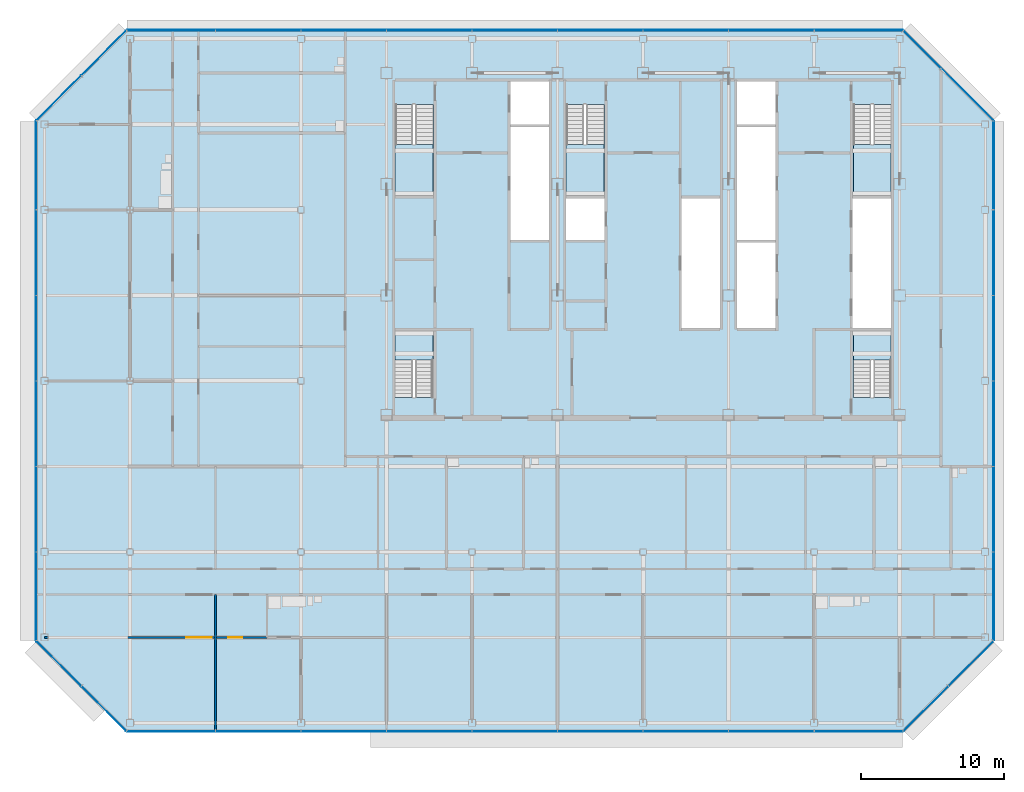
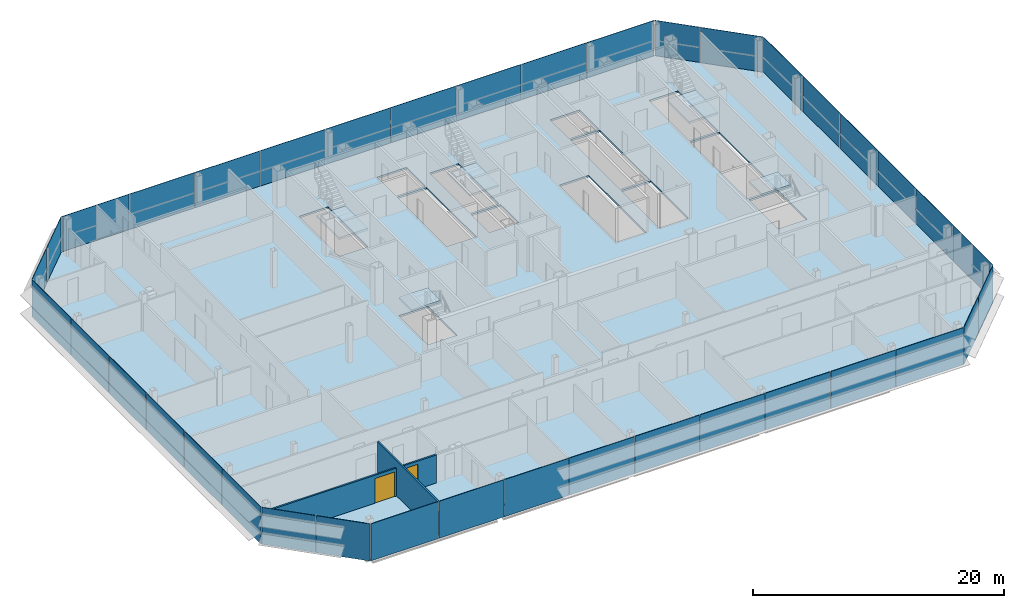
# One storey, part 20 of 27: 38 plates, 6 slabs, 2 doors, 2 walls, 2 openings, 13 elements without a shape of their own.
"""IFC4 building model written with IfcOpenShell, lengths in metres."""

from ifc_helpers import new_model, si_unit, direction, frame, frame_2d, origin, origin_2d, place, context, subcontext, project, spatial, polyline, rectangle, outline, extrude, material, layer, layer_set, type_object, element, fill, aggregate, save


model = new_model("IFC4")

# Units and contexts
model_context = context("Model", 3, precision=1e-05, world=origin(), true_north=direction((0.0, 1.0)))
body_context = subcontext(model_context, "Body", "Model", "MODEL_VIEW")
ifc_project = project(units=[si_unit("LENGTHUNIT", "METRE"), si_unit("AREAUNIT", "SQUARE_METRE"), si_unit("VOLUMEUNIT", "CUBIC_METRE"), si_unit("PLANEANGLEUNIT", "RADIAN"), si_unit("MASSUNIT", "GRAM", prefix="KILO")], contexts=[model_context])

# Site, building, storey
site_placement = place(None, origin())
site = spatial("IfcSite", under=ifc_project, at=site_placement, CompositionType="ELEMENT")
building_placement = place(site_placement, origin())
building = spatial("IfcBuilding", under=site, at=building_placement, Name="Sorahane Residences", CompositionType="ELEMENT")
storey_placement = place(building_placement, frame((0.0, 0.0, 316.0)))
storey = spatial("IfcBuildingStorey", under=building, at=storey_placement, Name="L75", CompositionType="ELEMENT", Elevation=316.0)

# Slab
ifc_material_1 = material(Name="Concrete C35", Category="concrete")
ifc_layer_1 = layer(ifc_material_1, 0.179931640625)
ifc_layer_set_1 = layer_set([ifc_layer_1], Name="Composite floor slab 180 mm Concrete C35")
slab_type_1 = type_object("IfcSlabType", Name="Composite floor slab 180 mm Concrete C35", PredefinedType="FLOOR", material=ifc_layer_set_1)
slab_1_placement = place(storey_placement, frame((0.0, 0.0, -0.179931640625)))
element("IfcSlab", 1, at=slab_1_placement, inside=storey, type_object=slab_type_1, Name="Slab L75", PredefinedType="FLOOR", context=body_context, shape_type="SweptSolid", body=[
    extrude(outline(polyline([(-12.24853515625, -0.60009765625), (-18.60009765625, 5.75146484375), (-18.60009765625, 42.24853515625), (-12.24853515625, 48.60009765625), (42.24853515625, 48.60009765625), (48.60009765625, 42.24853515625), (48.60009765625, 5.75146484375), (42.24853515625, -0.60009765625), (-12.24853515625, -0.60009765625)]), holes=[polyline([(38.699951171875, 27.699951171875), (41.39990234375, 27.699951171875), (41.39990234375, 36.800048828125), (38.699951171875, 36.800048828125), (38.699951171875, 27.699951171875)]), polyline([(30.60009765625, 27.699951171875), (33.300048828125, 27.699951171875), (33.300048828125, 33.699951171875), (30.60009765625, 33.699951171875), (30.60009765625, 27.699951171875)]), polyline([(30.60009765625, 42.0), (33.300048828125, 42.0), (33.300048828125, 45.0), (30.60009765625, 45.0), (30.60009765625, 42.0)]), polyline([(14.699951171875, 42.0), (17.39990234375, 42.0), (17.39990234375, 45.0), (14.699951171875, 45.0), (14.699951171875, 42.0)]), polyline([(6.60009765625, 43.39990234375), (6.60009765625, 37.0), (9.25, 37.0), (9.25, 43.39990234375), (6.60009765625, 43.39990234375)]), polyline([(38.75, 43.39990234375), (38.75, 37.0), (41.39990234375, 37.0), (41.39990234375, 43.39990234375), (38.75, 43.39990234375)]), polyline([(18.60009765625, 43.39990234375), (18.60009765625, 37.0), (21.25, 37.0), (21.25, 43.39990234375), (18.60009765625, 43.39990234375)]), polyline([(9.25, 22.85009765625), (9.25, 27.5), (6.60009765625, 27.5), (6.60009765625, 22.85009765625), (9.25, 22.85009765625)]), polyline([(41.39990234375, 22.85009765625), (41.39990234375, 27.5), (38.75, 27.5), (38.75, 22.85009765625), (41.39990234375, 22.85009765625)]), polyline([(14.699951171875, 33.89990234375), (17.39990234375, 33.89990234375), (17.39990234375, 41.800048828125), (14.699951171875, 41.800048828125), (14.699951171875, 33.89990234375)]), polyline([(30.60009765625, 33.89990234375), (33.300048828125, 33.89990234375), (33.300048828125, 41.800048828125), (30.60009765625, 41.800048828125), (30.60009765625, 33.89990234375)]), polyline([(18.60009765625, 33.89990234375), (21.300048828125, 33.89990234375), (21.300048828125, 36.800048828125), (18.60009765625, 36.800048828125), (18.60009765625, 33.89990234375)]), polyline([(26.699951171875, 27.699951171875), (29.39990234375, 27.699951171875), (29.39990234375, 36.800048828125), (26.699951171875, 36.800048828125), (26.699951171875, 27.699951171875)])]), origin(), (0.0, 0.0, 1.0), 0.179931640625),
])

# Curtain wall, plates
ifc_material_2 = material(Name="Dark low-e glass and black anodised aluminium", Category="aluminium")
curtain_wall_type_1 = type_object("IfcCurtainWallType", Name="Curtain wall CW-1 Typical unitised wall", PredefinedType="NOTDEFINED", material=ifc_material_2)
curtain_wall_1_placement = place(storey_placement, origin())
curtain_wall_1 = element("IfcCurtainWall", 2, at=curtain_wall_1_placement, inside=storey, type_object=curtain_wall_type_1, Name="CW-1 curtain wall L75 S1", PredefinedType="NOTDEFINED")
ifc_material_3 = material(Name="Dark low-e glass with black ceramic frit", Category="glass")
ifc_layer_2 = layer(ifc_material_3, 0.0400390625)
ifc_layer_set_2 = layer_set([ifc_layer_2], Name="Curtain wall glass panel dark low-e with black frit spandrel band")
plate_type = type_object("IfcPlateType", Name="Curtain wall glass panel dark low-e with black frit spandrel band", PredefinedType="CURTAIN_PANEL", material=ifc_layer_set_2)
plate_1_placement = place(storey_placement, frame((-9.11181640625, -0.60009765625, -0.179931640625), z_axis=(0.0, 0.0, 1.0), x_axis=(1.0, 0.0, 0.0)))
plate_1 = element("IfcPlate", 3, at=plate_1_placement, type_object=plate_type, Name="CW-1 glass panel L75 S1.1", PredefinedType="CURTAIN_PANEL", context=body_context, shape_type="SweptSolid", body=[
    extrude(rectangle(XDim=6.173583984375, YDim=0.0400390625, at=origin_2d()), origin(), (0.0, 0.0, 1.0), 3.60009765625),
])
plate_2_placement = place(storey_placement, frame((-3.0, -0.60009765625, -0.179931640625), z_axis=(0.0, 0.0, 1.0), x_axis=(1.0, 0.0, 0.0)))
plate_2 = element("IfcPlate", 4, at=plate_2_placement, type_object=plate_type, Name="CW-1 glass panel L75 S1.2", PredefinedType="CURTAIN_PANEL", context=body_context, shape_type="SweptSolid", body=[
    extrude(rectangle(XDim=5.949951171875, YDim=0.0400390625, at=origin_2d()), origin(), (0.0, 0.0, 1.0), 3.60009765625),
])
plate_3_placement = place(storey_placement, frame((3.0, -0.60009765625, -0.179931640625), z_axis=(0.0, 0.0, 1.0), x_axis=(1.0, 0.0, 0.0)))
plate_3 = element("IfcPlate", 5, at=plate_3_placement, type_object=plate_type, Name="CW-1 glass panel L75 S1.3", PredefinedType="CURTAIN_PANEL", context=body_context, shape_type="SweptSolid", body=[
    extrude(rectangle(XDim=5.949951171875, YDim=0.0400390625, at=origin_2d()), origin(), (0.0, 0.0, 1.0), 3.60009765625),
])
plate_4_placement = place(storey_placement, frame((9.0, -0.60009765625, -0.179931640625), z_axis=(0.0, 0.0, 1.0), x_axis=(1.0, 0.0, 0.0)))
plate_4 = element("IfcPlate", 6, at=plate_4_placement, type_object=plate_type, Name="CW-1 glass panel L75 S1.4", PredefinedType="CURTAIN_PANEL", context=body_context, shape_type="SweptSolid", body=[
    extrude(rectangle(XDim=5.949951171875, YDim=0.0400390625, at=origin_2d()), origin(), (0.0, 0.0, 1.0), 3.60009765625),
])
plate_5_placement = place(storey_placement, frame((15.0, -0.60009765625, -0.179931640625), z_axis=(0.0, 0.0, 1.0), x_axis=(1.0, 0.0, 0.0)))
plate_5 = element("IfcPlate", 7, at=plate_5_placement, type_object=plate_type, Name="CW-1 glass panel L75 S1.5", PredefinedType="CURTAIN_PANEL", context=body_context, shape_type="SweptSolid", body=[
    extrude(rectangle(XDim=5.949951171875, YDim=0.0400390625, at=origin_2d()), origin(), (0.0, 0.0, 1.0), 3.60009765625),
])
plate_6_placement = place(storey_placement, frame((21.0, -0.60009765625, -0.179931640625), z_axis=(0.0, 0.0, 1.0), x_axis=(1.0, 0.0, 0.0)))
plate_6 = element("IfcPlate", 8, at=plate_6_placement, type_object=plate_type, Name="CW-1 glass panel L75 S1.6", PredefinedType="CURTAIN_PANEL", context=body_context, shape_type="SweptSolid", body=[
    extrude(rectangle(XDim=5.949951171875, YDim=0.0400390625, at=origin_2d()), origin(), (0.0, 0.0, 1.0), 3.60009765625),
])
plate_7_placement = place(storey_placement, frame((27.0, -0.60009765625, -0.179931640625), z_axis=(0.0, 0.0, 1.0), x_axis=(1.0, 0.0, 0.0)))
plate_7 = element("IfcPlate", 9, at=plate_7_placement, type_object=plate_type, Name="CW-1 glass panel L75 S1.7", PredefinedType="CURTAIN_PANEL", context=body_context, shape_type="SweptSolid", body=[
    extrude(rectangle(XDim=5.949951171875, YDim=0.0400390625, at=origin_2d()), origin(), (0.0, 0.0, 1.0), 3.60009765625),
])
plate_8_placement = place(storey_placement, frame((33.0, -0.60009765625, -0.179931640625), z_axis=(0.0, 0.0, 1.0), x_axis=(1.0, 0.0, 0.0)))
plate_8 = element("IfcPlate", 10, at=plate_8_placement, type_object=plate_type, Name="CW-1 glass panel L75 S1.8", PredefinedType="CURTAIN_PANEL", context=body_context, shape_type="SweptSolid", body=[
    extrude(rectangle(XDim=5.949951171875, YDim=0.0400390625, at=origin_2d()), origin(), (0.0, 0.0, 1.0), 3.60009765625),
])
plate_9_placement = place(storey_placement, frame((39.11181640625, -0.60009765625, -0.179931640625), z_axis=(0.0, 0.0, 1.0), x_axis=(1.0, 0.0, 0.0)))
plate_9 = element("IfcPlate", 11, at=plate_9_placement, type_object=plate_type, Name="CW-1 glass panel L75 S1.9", PredefinedType="CURTAIN_PANEL", context=body_context, shape_type="SweptSolid", body=[
    extrude(rectangle(XDim=6.173583984375, YDim=0.0400390625, at=origin_2d()), origin(), (0.0, 0.0, 1.0), 3.60009765625),
])
aggregate(curtain_wall_1, [plate_1, plate_2, plate_3, plate_4, plate_5, plate_6, plate_7, plate_8, plate_9])

ifc_material_4 = material(Name="Dark low-e glass and black anodised aluminium", Category="aluminium")
curtain_wall_type_2 = type_object("IfcCurtainWallType", Name="Curtain wall CW-2 Chamfer unitised wall", PredefinedType="NOTDEFINED", material=ifc_material_4)
curtain_wall_2_placement = place(storey_placement, origin())
curtain_wall_2 = element("IfcCurtainWall", 12, at=curtain_wall_2_placement, inside=storey, type_object=curtain_wall_type_2, Name="CW-2 curtain wall L75 SE1", PredefinedType="NOTDEFINED")
plate_10_placement = place(storey_placement, frame((43.84521484375, 0.996826171875, -0.179931640625), z_axis=(0.0, 0.0, 1.0), x_axis=(0.707106781187, 0.707106781187, 0.0)))
plate_10 = element("IfcPlate", 13, at=plate_10_placement, type_object=plate_type, Name="CW-2 glass panel L75 SE1.1", PredefinedType="CURTAIN_PANEL", context=body_context, shape_type="SweptSolid", body=[
    extrude(rectangle(XDim=4.416259765625, YDim=0.0400390625, at=origin_2d()), origin(), (0.0, 0.0, 1.0), 3.60009765625),
])
plate_11_placement = place(storey_placement, frame((47.003173828125, 4.15478515625, -0.179931640625), z_axis=(0.0, 0.0, 1.0), x_axis=(0.707106781187, 0.707106781187, 0.0)))
plate_11 = element("IfcPlate", 14, at=plate_11_placement, type_object=plate_type, Name="CW-2 glass panel L75 SE1.2", PredefinedType="CURTAIN_PANEL", context=body_context, shape_type="SweptSolid", body=[
    extrude(rectangle(XDim=4.416259765625, YDim=0.0400390625, at=origin_2d()), origin(), (0.0, 0.0, 1.0), 3.60009765625),
])
aggregate(curtain_wall_2, [plate_10, plate_11])

curtain_wall_3_placement = place(storey_placement, origin())
curtain_wall_3 = element("IfcCurtainWall", 15, at=curtain_wall_3_placement, inside=storey, type_object=curtain_wall_type_1, Name="CW-1 curtain wall L75 E1", PredefinedType="NOTDEFINED")
plate_12_placement = place(storey_placement, frame((48.60009765625, 8.88818359375, -0.179931640625), z_axis=(0.0, 0.0, 1.0), x_axis=(0.0, 1.0, 0.0)))
plate_12 = element("IfcPlate", 16, at=plate_12_placement, type_object=plate_type, Name="CW-1 glass panel L75 E1.1", PredefinedType="CURTAIN_PANEL", context=body_context, shape_type="SweptSolid", body=[
    extrude(rectangle(XDim=6.173583984375, YDim=0.0400390625, at=origin_2d()), origin(), (0.0, 0.0, 1.0), 3.60009765625),
])
plate_13_placement = place(storey_placement, frame((48.60009765625, 15.0, -0.179931640625), z_axis=(0.0, 0.0, 1.0), x_axis=(0.0, 1.0, 0.0)))
plate_13 = element("IfcPlate", 17, at=plate_13_placement, type_object=plate_type, Name="CW-1 glass panel L75 E1.2", PredefinedType="CURTAIN_PANEL", context=body_context, shape_type="SweptSolid", body=[
    extrude(rectangle(XDim=5.949951171875, YDim=0.0400390625, at=origin_2d()), origin(), (0.0, 0.0, 1.0), 3.60009765625),
])
plate_14_placement = place(storey_placement, frame((48.60009765625, 21.0, -0.179931640625), z_axis=(0.0, 0.0, 1.0), x_axis=(0.0, 1.0, 0.0)))
plate_14 = element("IfcPlate", 18, at=plate_14_placement, type_object=plate_type, Name="CW-1 glass panel L75 E1.3", PredefinedType="CURTAIN_PANEL", context=body_context, shape_type="SweptSolid", body=[
    extrude(rectangle(XDim=5.949951171875, YDim=0.0400390625, at=origin_2d()), origin(), (0.0, 0.0, 1.0), 3.60009765625),
])
plate_15_placement = place(storey_placement, frame((48.60009765625, 27.0, -0.179931640625), z_axis=(0.0, 0.0, 1.0), x_axis=(0.0, 1.0, 0.0)))
plate_15 = element("IfcPlate", 19, at=plate_15_placement, type_object=plate_type, Name="CW-1 glass panel L75 E1.4", PredefinedType="CURTAIN_PANEL", context=body_context, shape_type="SweptSolid", body=[
    extrude(rectangle(XDim=5.949951171875, YDim=0.0400390625, at=origin_2d()), origin(), (0.0, 0.0, 1.0), 3.60009765625),
])
plate_16_placement = place(storey_placement, frame((48.60009765625, 33.0, -0.179931640625), z_axis=(0.0, 0.0, 1.0), x_axis=(0.0, 1.0, 0.0)))
plate_16 = element("IfcPlate", 20, at=plate_16_placement, type_object=plate_type, Name="CW-1 glass panel L75 E1.5", PredefinedType="CURTAIN_PANEL", context=body_context, shape_type="SweptSolid", body=[
    extrude(rectangle(XDim=5.949951171875, YDim=0.0400390625, at=origin_2d()), origin(), (0.0, 0.0, 1.0), 3.60009765625),
])
plate_17_placement = place(storey_placement, frame((48.60009765625, 39.11181640625, -0.179931640625), z_axis=(0.0, 0.0, 1.0), x_axis=(0.0, 1.0, 0.0)))
plate_17 = element("IfcPlate", 21, at=plate_17_placement, type_object=plate_type, Name="CW-1 glass panel L75 E1.6", PredefinedType="CURTAIN_PANEL", context=body_context, shape_type="SweptSolid", body=[
    extrude(rectangle(XDim=6.173583984375, YDim=0.0400390625, at=origin_2d()), origin(), (0.0, 0.0, 1.0), 3.60009765625),
])
aggregate(curtain_wall_3, [plate_12, plate_13, plate_14, plate_15, plate_16, plate_17])

curtain_wall_4_placement = place(storey_placement, origin())
curtain_wall_4 = element("IfcCurtainWall", 22, at=curtain_wall_4_placement, inside=storey, type_object=curtain_wall_type_2, Name="CW-2 curtain wall L75 NE1", PredefinedType="NOTDEFINED")
plate_18_placement = place(storey_placement, frame((46.740966796875, 44.107421875, -0.179931640625), z_axis=(0.0, 0.0, 1.0), x_axis=(-0.707106781187, 0.707106781187, 0.0)))
plate_18 = element("IfcPlate", 23, at=plate_18_placement, type_object=plate_type, Name="CW-2 glass panel L75 NE1.1", PredefinedType="CURTAIN_PANEL", context=body_context, shape_type="SweptSolid", body=[
    extrude(rectangle(XDim=5.157958984375, YDim=0.0400390625, at=origin_2d()), origin(), (0.0, 0.0, 1.0), 3.60009765625),
])
plate_19_placement = place(storey_placement, frame((43.5830078125, 47.265625, -0.179931640625), z_axis=(0.0, 0.0, 1.0), x_axis=(-0.707106781187, 0.707106781187, 0.0)))
plate_19 = element("IfcPlate", 24, at=plate_19_placement, type_object=plate_type, Name="CW-2 glass panel L75 NE1.2", PredefinedType="CURTAIN_PANEL", context=body_context, shape_type="SweptSolid", body=[
    extrude(rectangle(XDim=3.67431640625, YDim=0.0400390625, at=origin_2d()), origin(), (0.0, 0.0, 1.0), 3.60009765625),
])
aggregate(curtain_wall_4, [plate_18, plate_19])

curtain_wall_5_placement = place(storey_placement, origin())
curtain_wall_5 = element("IfcCurtainWall", 25, at=curtain_wall_5_placement, inside=storey, type_object=curtain_wall_type_1, Name="CW-1 curtain wall L75 N1", PredefinedType="NOTDEFINED")
plate_20_placement = place(storey_placement, frame((39.11181640625, 48.60009765625, -0.179931640625), z_axis=(0.0, 0.0, 1.0), x_axis=(-1.0, 0.0, 0.0)))
plate_20 = element("IfcPlate", 26, at=plate_20_placement, type_object=plate_type, Name="CW-1 glass panel L75 N1.1", PredefinedType="CURTAIN_PANEL", context=body_context, shape_type="SweptSolid", body=[
    extrude(rectangle(XDim=6.173583984375, YDim=0.0400390625, at=origin_2d()), origin(), (0.0, 0.0, 1.0), 3.60009765625),
])
plate_21_placement = place(storey_placement, frame((33.0, 48.60009765625, -0.179931640625), z_axis=(0.0, 0.0, 1.0), x_axis=(-1.0, 0.0, 0.0)))
plate_21 = element("IfcPlate", 27, at=plate_21_placement, type_object=plate_type, Name="CW-1 glass panel L75 N1.2", PredefinedType="CURTAIN_PANEL", context=body_context, shape_type="SweptSolid", body=[
    extrude(rectangle(XDim=5.949951171875, YDim=0.0400390625, at=origin_2d()), origin(), (0.0, 0.0, 1.0), 3.60009765625),
])
plate_22_placement = place(storey_placement, frame((27.0, 48.60009765625, -0.179931640625), z_axis=(0.0, 0.0, 1.0), x_axis=(-1.0, 0.0, 0.0)))
plate_22 = element("IfcPlate", 28, at=plate_22_placement, type_object=plate_type, Name="CW-1 glass panel L75 N1.3", PredefinedType="CURTAIN_PANEL", context=body_context, shape_type="SweptSolid", body=[
    extrude(rectangle(XDim=5.949951171875, YDim=0.0400390625, at=origin_2d()), origin(), (0.0, 0.0, 1.0), 3.60009765625),
])
plate_23_placement = place(storey_placement, frame((21.0, 48.60009765625, -0.179931640625), z_axis=(0.0, 0.0, 1.0), x_axis=(-1.0, 0.0, 0.0)))
plate_23 = element("IfcPlate", 29, at=plate_23_placement, type_object=plate_type, Name="CW-1 glass panel L75 N1.4", PredefinedType="CURTAIN_PANEL", context=body_context, shape_type="SweptSolid", body=[
    extrude(rectangle(XDim=5.949951171875, YDim=0.0400390625, at=origin_2d()), origin(), (0.0, 0.0, 1.0), 3.60009765625),
])
plate_24_placement = place(storey_placement, frame((15.0, 48.60009765625, -0.179931640625), z_axis=(0.0, 0.0, 1.0), x_axis=(-1.0, 0.0, 0.0)))
plate_24 = element("IfcPlate", 30, at=plate_24_placement, type_object=plate_type, Name="CW-1 glass panel L75 N1.5", PredefinedType="CURTAIN_PANEL", context=body_context, shape_type="SweptSolid", body=[
    extrude(rectangle(XDim=5.949951171875, YDim=0.0400390625, at=origin_2d()), origin(), (0.0, 0.0, 1.0), 3.60009765625),
])
plate_25_placement = place(storey_placement, frame((9.0, 48.60009765625, -0.179931640625), z_axis=(0.0, 0.0, 1.0), x_axis=(-1.0, 0.0, 0.0)))
plate_25 = element("IfcPlate", 31, at=plate_25_placement, type_object=plate_type, Name="CW-1 glass panel L75 N1.6", PredefinedType="CURTAIN_PANEL", context=body_context, shape_type="SweptSolid", body=[
    extrude(rectangle(XDim=5.949951171875, YDim=0.0400390625, at=origin_2d()), origin(), (0.0, 0.0, 1.0), 3.60009765625),
])
plate_26_placement = place(storey_placement, frame((3.0, 48.60009765625, -0.179931640625), z_axis=(0.0, 0.0, 1.0), x_axis=(-1.0, 0.0, 0.0)))
plate_26 = element("IfcPlate", 32, at=plate_26_placement, type_object=plate_type, Name="CW-1 glass panel L75 N1.7", PredefinedType="CURTAIN_PANEL", context=body_context, shape_type="SweptSolid", body=[
    extrude(rectangle(XDim=5.949951171875, YDim=0.0400390625, at=origin_2d()), origin(), (0.0, 0.0, 1.0), 3.60009765625),
])
plate_27_placement = place(storey_placement, frame((-3.0, 48.60009765625, -0.179931640625), z_axis=(0.0, 0.0, 1.0), x_axis=(-1.0, 0.0, 0.0)))
plate_27 = element("IfcPlate", 33, at=plate_27_placement, type_object=plate_type, Name="CW-1 glass panel L75 N1.8", PredefinedType="CURTAIN_PANEL", context=body_context, shape_type="SweptSolid", body=[
    extrude(rectangle(XDim=5.949951171875, YDim=0.0400390625, at=origin_2d()), origin(), (0.0, 0.0, 1.0), 3.60009765625),
])
plate_28_placement = place(storey_placement, frame((-9.11181640625, 48.60009765625, -0.179931640625), z_axis=(0.0, 0.0, 1.0), x_axis=(-1.0, 0.0, 0.0)))
plate_28 = element("IfcPlate", 34, at=plate_28_placement, type_object=plate_type, Name="CW-1 glass panel L75 N1.9", PredefinedType="CURTAIN_PANEL", context=body_context, shape_type="SweptSolid", body=[
    extrude(rectangle(XDim=6.173583984375, YDim=0.0400390625, at=origin_2d()), origin(), (0.0, 0.0, 1.0), 3.60009765625),
])
aggregate(curtain_wall_5, [plate_20, plate_21, plate_22, plate_23, plate_24, plate_25, plate_26, plate_27, plate_28])

curtain_wall_6_placement = place(storey_placement, origin())
curtain_wall_6 = element("IfcCurtainWall", 35, at=curtain_wall_6_placement, inside=storey, type_object=curtain_wall_type_2, Name="CW-2 curtain wall L75 NW1", PredefinedType="NOTDEFINED")
plate_29_placement = place(storey_placement, frame((-13.84521484375, 47.003173828125, -0.179931640625), z_axis=(0.0, 0.0, 1.0), x_axis=(-0.707106781187, -0.707106781187, 0.0)))
plate_29 = element("IfcPlate", 36, at=plate_29_placement, type_object=plate_type, Name="CW-2 glass panel L75 NW1.1", PredefinedType="CURTAIN_PANEL", context=body_context, shape_type="SweptSolid", body=[
    extrude(rectangle(XDim=4.416259765625, YDim=0.0400390625, at=origin_2d()), origin(), (0.0, 0.0, 1.0), 3.60009765625),
])
plate_30_placement = place(storey_placement, frame((-17.003173828125, 43.84521484375, -0.179931640625), z_axis=(0.0, 0.0, 1.0), x_axis=(-0.707106781187, -0.707106781187, 0.0)))
plate_30 = element("IfcPlate", 37, at=plate_30_placement, type_object=plate_type, Name="CW-2 glass panel L75 NW1.2", PredefinedType="CURTAIN_PANEL", context=body_context, shape_type="SweptSolid", body=[
    extrude(rectangle(XDim=4.416259765625, YDim=0.0400390625, at=origin_2d()), origin(), (0.0, 0.0, 1.0), 3.60009765625),
])
aggregate(curtain_wall_6, [plate_29, plate_30])

curtain_wall_7_placement = place(storey_placement, origin())
curtain_wall_7 = element("IfcCurtainWall", 38, at=curtain_wall_7_placement, inside=storey, type_object=curtain_wall_type_1, Name="CW-1 curtain wall L75 W1", PredefinedType="NOTDEFINED")
plate_31_placement = place(storey_placement, frame((-18.60009765625, 39.11181640625, -0.179931640625), z_axis=(0.0, 0.0, 1.0), x_axis=(0.0, -1.0, 0.0)))
plate_31 = element("IfcPlate", 39, at=plate_31_placement, type_object=plate_type, Name="CW-1 glass panel L75 W1.1", PredefinedType="CURTAIN_PANEL", context=body_context, shape_type="SweptSolid", body=[
    extrude(rectangle(XDim=6.173583984375, YDim=0.0400390625, at=origin_2d()), origin(), (0.0, 0.0, 1.0), 3.60009765625),
])
plate_32_placement = place(storey_placement, frame((-18.60009765625, 33.0, -0.179931640625), z_axis=(0.0, 0.0, 1.0), x_axis=(0.0, -1.0, 0.0)))
plate_32 = element("IfcPlate", 40, at=plate_32_placement, type_object=plate_type, Name="CW-1 glass panel L75 W1.2", PredefinedType="CURTAIN_PANEL", context=body_context, shape_type="SweptSolid", body=[
    extrude(rectangle(XDim=5.949951171875, YDim=0.0400390625, at=origin_2d()), origin(), (0.0, 0.0, 1.0), 3.60009765625),
])
plate_33_placement = place(storey_placement, frame((-18.60009765625, 27.0, -0.179931640625), z_axis=(0.0, 0.0, 1.0), x_axis=(0.0, -1.0, 0.0)))
plate_33 = element("IfcPlate", 41, at=plate_33_placement, type_object=plate_type, Name="CW-1 glass panel L75 W1.3", PredefinedType="CURTAIN_PANEL", context=body_context, shape_type="SweptSolid", body=[
    extrude(rectangle(XDim=5.949951171875, YDim=0.0400390625, at=origin_2d()), origin(), (0.0, 0.0, 1.0), 3.60009765625),
])
plate_34_placement = place(storey_placement, frame((-18.60009765625, 21.0, -0.179931640625), z_axis=(0.0, 0.0, 1.0), x_axis=(0.0, -1.0, 0.0)))
plate_34 = element("IfcPlate", 42, at=plate_34_placement, type_object=plate_type, Name="CW-1 glass panel L75 W1.4", PredefinedType="CURTAIN_PANEL", context=body_context, shape_type="SweptSolid", body=[
    extrude(rectangle(XDim=5.949951171875, YDim=0.0400390625, at=origin_2d()), origin(), (0.0, 0.0, 1.0), 3.60009765625),
])
plate_35_placement = place(storey_placement, frame((-18.60009765625, 15.0, -0.179931640625), z_axis=(0.0, 0.0, 1.0), x_axis=(0.0, -1.0, 0.0)))
plate_35 = element("IfcPlate", 43, at=plate_35_placement, type_object=plate_type, Name="CW-1 glass panel L75 W1.5", PredefinedType="CURTAIN_PANEL", context=body_context, shape_type="SweptSolid", body=[
    extrude(rectangle(XDim=5.949951171875, YDim=0.0400390625, at=origin_2d()), origin(), (0.0, 0.0, 1.0), 3.60009765625),
])
plate_36_placement = place(storey_placement, frame((-18.60009765625, 8.88818359375, -0.179931640625), z_axis=(0.0, 0.0, 1.0), x_axis=(0.0, -1.0, 0.0)))
plate_36 = element("IfcPlate", 44, at=plate_36_placement, type_object=plate_type, Name="CW-1 glass panel L75 W1.6", PredefinedType="CURTAIN_PANEL", context=body_context, shape_type="SweptSolid", body=[
    extrude(rectangle(XDim=6.173583984375, YDim=0.0400390625, at=origin_2d()), origin(), (0.0, 0.0, 1.0), 3.60009765625),
])
aggregate(curtain_wall_7, [plate_31, plate_32, plate_33, plate_34, plate_35, plate_36])

curtain_wall_8_placement = place(storey_placement, origin())
curtain_wall_8 = element("IfcCurtainWall", 45, at=curtain_wall_8_placement, inside=storey, type_object=curtain_wall_type_2, Name="CW-2 curtain wall L75 SW1", PredefinedType="NOTDEFINED")
plate_37_placement = place(storey_placement, frame((-17.003173828125, 4.15478515625, -0.179931640625), z_axis=(0.0, 0.0, 1.0), x_axis=(0.707106781187, -0.707106781187, 0.0)))
plate_37 = element("IfcPlate", 46, at=plate_37_placement, type_object=plate_type, Name="CW-2 glass panel L75 SW1.1", PredefinedType="CURTAIN_PANEL", context=body_context, shape_type="SweptSolid", body=[
    extrude(rectangle(XDim=4.416259765625, YDim=0.0400390625, at=origin_2d()), origin(), (0.0, 0.0, 1.0), 3.60009765625),
])
plate_38_placement = place(storey_placement, frame((-13.84521484375, 0.996826171875, -0.179931640625), z_axis=(0.0, 0.0, 1.0), x_axis=(0.707106781187, -0.707106781187, 0.0)))
plate_38 = element("IfcPlate", 47, at=plate_38_placement, type_object=plate_type, Name="CW-2 glass panel L75 SW1.2", PredefinedType="CURTAIN_PANEL", context=body_context, shape_type="SweptSolid", body=[
    extrude(rectangle(XDim=4.416259765625, YDim=0.0400390625, at=origin_2d()), origin(), (0.0, 0.0, 1.0), 3.60009765625),
])
aggregate(curtain_wall_8, [plate_37, plate_38])

# Stair, slab
ifc_material_5 = material(Name="Concrete C40", Category="concrete")
stair_type = type_object("IfcStairType", Name="Dog-leg stair 1250 Concrete C40", PredefinedType="HALF_TURN_STAIR", material=ifc_material_5)
stair_1_placement = place(storey_placement, origin())
stair_1 = element("IfcStair", 48, at=stair_1_placement, inside=storey, type_object=stair_type, Name="L75 Stair S1", PredefinedType="HALF_TURN_STAIR")
ifc_material_6 = material(Name="Concrete C40", Category="concrete")
ifc_layer_3 = layer(ifc_material_6, 0.199951171875)
ifc_layer_set_3 = layer_set([ifc_layer_3], Name="Stair landing 200 Concrete C40")
slab_type_2 = type_object("IfcSlabType", Name="Stair landing 200 Concrete C40", PredefinedType="LANDING", material=ifc_layer_set_3)
slab_2_placement = place(storey_placement, frame((0.0, 0.0, 1.60009765625)))
slab_2 = element("IfcSlab", 49, at=slab_2_placement, type_object=slab_type_2, Name="S1 landing 1", PredefinedType="LANDING", context=body_context, shape_type="SweptSolid", body=[
    extrude(outline(polyline([(6.60009765625, 40.60009765625), (6.60009765625, 37.0), (9.25, 37.0), (9.25, 40.60009765625), (6.60009765625, 40.60009765625)])), origin(), (0.0, 0.0, 1.0), 0.199951171875),
])
aggregate(stair_1, [slab_2])

stair_2_placement = place(storey_placement, origin())
stair_2 = element("IfcStair", 50, at=stair_2_placement, inside=storey, type_object=stair_type, Name="L75 Stair S2", PredefinedType="HALF_TURN_STAIR")
slab_3_placement = place(storey_placement, frame((0.0, 0.0, 1.60009765625)))
slab_3 = element("IfcSlab", 51, at=slab_3_placement, type_object=slab_type_2, Name="S2 landing 1", PredefinedType="LANDING", context=body_context, shape_type="SweptSolid", body=[
    extrude(outline(polyline([(38.75, 40.60009765625), (38.75, 37.0), (41.39990234375, 37.0), (41.39990234375, 40.60009765625), (38.75, 40.60009765625)])), origin(), (0.0, 0.0, 1.0), 0.199951171875),
])
aggregate(stair_2, [slab_3])

stair_3_placement = place(storey_placement, origin())
stair_3 = element("IfcStair", 52, at=stair_3_placement, inside=storey, type_object=stair_type, Name="L75 Stair S3", PredefinedType="HALF_TURN_STAIR")
slab_4_placement = place(storey_placement, frame((0.0, 0.0, 1.60009765625)))
slab_4 = element("IfcSlab", 53, at=slab_4_placement, type_object=slab_type_2, Name="S3 landing 1", PredefinedType="LANDING", context=body_context, shape_type="SweptSolid", body=[
    extrude(outline(polyline([(18.60009765625, 40.60009765625), (18.60009765625, 37.0), (21.25, 37.0), (21.25, 40.60009765625), (18.60009765625, 40.60009765625)])), origin(), (0.0, 0.0, 1.0), 0.199951171875),
])
aggregate(stair_3, [slab_4])

stair_4_placement = place(storey_placement, origin())
stair_4 = element("IfcStair", 54, at=stair_4_placement, inside=storey, type_object=stair_type, Name="L75 Stair S4", PredefinedType="HALF_TURN_STAIR")
slab_5_placement = place(storey_placement, frame((0.0, 0.0, 1.60009765625)))
slab_5 = element("IfcSlab", 55, at=slab_5_placement, type_object=slab_type_2, Name="S4 landing 1", PredefinedType="LANDING", context=body_context, shape_type="SweptSolid", body=[
    extrude(outline(polyline([(9.25, 25.449951171875), (9.25, 27.5), (6.60009765625, 27.5), (6.60009765625, 25.449951171875), (9.25, 25.449951171875)])), origin(), (0.0, 0.0, 1.0), 0.199951171875),
])
aggregate(stair_4, [slab_5])

stair_5_placement = place(storey_placement, origin())
stair_5 = element("IfcStair", 56, at=stair_5_placement, inside=storey, type_object=stair_type, Name="L75 Stair S5", PredefinedType="HALF_TURN_STAIR")
slab_6_placement = place(storey_placement, frame((0.0, 0.0, 1.60009765625)))
slab_6 = element("IfcSlab", 57, at=slab_6_placement, type_object=slab_type_2, Name="S5 landing 1", PredefinedType="LANDING", context=body_context, shape_type="SweptSolid", body=[
    extrude(outline(polyline([(41.39990234375, 25.449951171875), (41.39990234375, 27.5), (38.75, 27.5), (38.75, 25.449951171875), (41.39990234375, 25.449951171875)])), origin(), (0.0, 0.0, 1.0), 0.199951171875),
])
aggregate(stair_5, [slab_6])

# Wall
ifc_material_7 = material(Name="Gypsum board partition on steel studs", Category="steel")
ifc_layer_4 = layer(ifc_material_7, 0.14990234375)
ifc_layer_set_4 = layer_set([ifc_layer_4], Name="Partition 150 EI 90")
wall_type = type_object("IfcWallType", Name="Partition 150 EI 90", PredefinedType="PARTITIONING", material=ifc_layer_set_4)
wall_1_placement = place(storey_placement, frame((-6.0, -0.60009765625, 0.0), z_axis=(0.0, 0.0, 1.0), x_axis=(0.0, 1.0, 0.0)))
element("IfcWall", 58, at=wall_1_placement, inside=storey, type_object=wall_type, Name="L75 partition", PredefinedType="PARTITIONING", context=body_context, shape_type="SweptSolid", body=[
    extrude(rectangle(XDim=9.60009765625, YDim=0.14990234375, at=frame_2d((4.800048828125, 0.0))), origin(), (0.0, 0.0, 1.0), 3.419921875),
])

# Wall, openings, doors
wall_2_placement = place(storey_placement, frame((-18.0, 6.0, 0.0), z_axis=(0.0, 0.0, 1.0), x_axis=(1.0, 0.0, 0.0)))
wall_2 = element("IfcWall", 59, at=wall_2_placement, inside=storey, type_object=wall_type, Name="L75 partition", PredefinedType="PARTITIONING", context=body_context, shape_type="SweptSolid", body=[
    extrude(rectangle(XDim=15.60009765625, YDim=0.14990234375, at=frame_2d((7.800048828125, 0.0))), origin(), (0.0, 0.0, 1.0), 2.719970703125),
])
opening_1_placement = place(wall_2_placement, frame((9.949951171875, 0.0, 0.0)))
opening_1 = element("IfcOpeningElement", 60, at=opening_1_placement, cuts=wall_2, Name="Opening L75-10", PredefinedType="OPENING", context=body_context, shape_type="SweptSolid", body=[
    extrude(rectangle(XDim=1.800048828125, YDim=2.39990234375, at=frame_2d((0.89990234375, 1.199951171875))), frame((0.0, 0.0849609375, 0.0), z_axis=(0.0, -1.0, 0.0), x_axis=(1.0, 0.0, 0.0)), (0.0, 0.0, 1.0), 0.169921875),
])
opening_2_placement = place(wall_2_placement, frame((12.8798828125, 0.0, 0.0)))
opening_2 = element("IfcOpeningElement", 61, at=opening_2_placement, cuts=wall_2, Name="Opening L75-11", PredefinedType="OPENING", context=body_context, shape_type="SweptSolid", body=[
    extrude(rectangle(XDim=1.0, YDim=2.39990234375, at=frame_2d((0.5, 1.199951171875))), frame((0.0, 0.0849609375, 0.0), z_axis=(0.0, -1.0, 0.0), x_axis=(1.0, 0.0, 0.0)), (0.0, 0.0, 1.0), 0.169921875),
])
ifc_material_8 = material(Name="Timber veneered fire door", Category="wood")
door_type_1 = type_object("IfcDoorType", Name="Double door 1800x2400 FD30", OperationType="NOTDEFINED", PredefinedType="DOOR", material=ifc_material_8)
door_1_placement = place(opening_1_placement, frame((1.800048828125, 0.0, 0.0), z_axis=(0.0, 0.0, 1.0), x_axis=(-1.0, 0.0, 0.0)))
door_1 = element("IfcDoor", 62, at=door_1_placement, inside=storey, type_object=door_type_1, Name="Double door L75-10", OperationType="SINGLE_SWING_LEFT", OverallHeight=2.39990234375, OverallWidth=1.800048828125, PredefinedType="DOOR", context=body_context, shape_type="SweptSolid", body=[
    extrude(rectangle(XDim=1.800048828125, YDim=2.39990234375, at=frame_2d((0.89990234375, 1.199951171875))), frame((0.0, 0.02490234375, 0.0), z_axis=(0.0, -1.0, 0.0), x_axis=(1.0, 0.0, 0.0)), (0.0, 0.0, 1.0), 0.050048828125),
])
fill(opening_1, door_1)
ifc_material_9 = material(Name="Timber veneered fire door", Category="wood")
door_type_2 = type_object("IfcDoorType", Name="Room door 1000x2400 FD30", OperationType="NOTDEFINED", PredefinedType="DOOR", material=ifc_material_9)
door_2_placement = place(opening_2_placement, frame((1.0, 0.0, 0.0), z_axis=(0.0, 0.0, 1.0), x_axis=(-1.0, 0.0, 0.0)))
door_2 = element("IfcDoor", 63, at=door_2_placement, inside=storey, type_object=door_type_2, Name="Room door L75-11", OperationType="SINGLE_SWING_LEFT", OverallHeight=2.39990234375, OverallWidth=1.0, PredefinedType="DOOR", context=body_context, shape_type="SweptSolid", body=[
    extrude(rectangle(XDim=1.0, YDim=2.39990234375, at=frame_2d((0.5, 1.199951171875))), frame((0.0, 0.02490234375, 0.0), z_axis=(0.0, -1.0, 0.0), x_axis=(1.0, 0.0, 0.0)), (0.0, 0.0, 1.0), 0.050048828125),
])
fill(opening_2, door_2)

save(model, "model.ifc")
